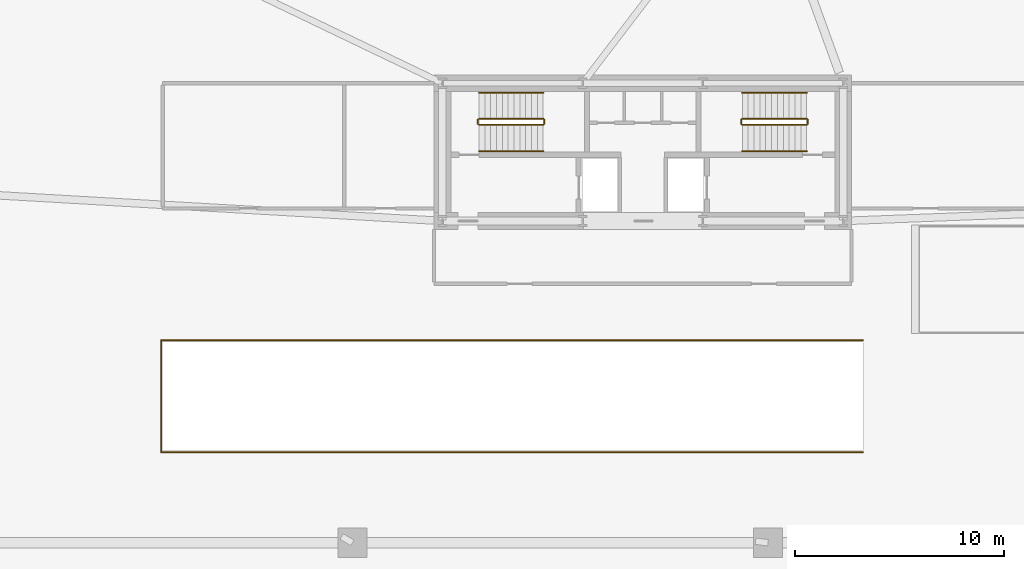
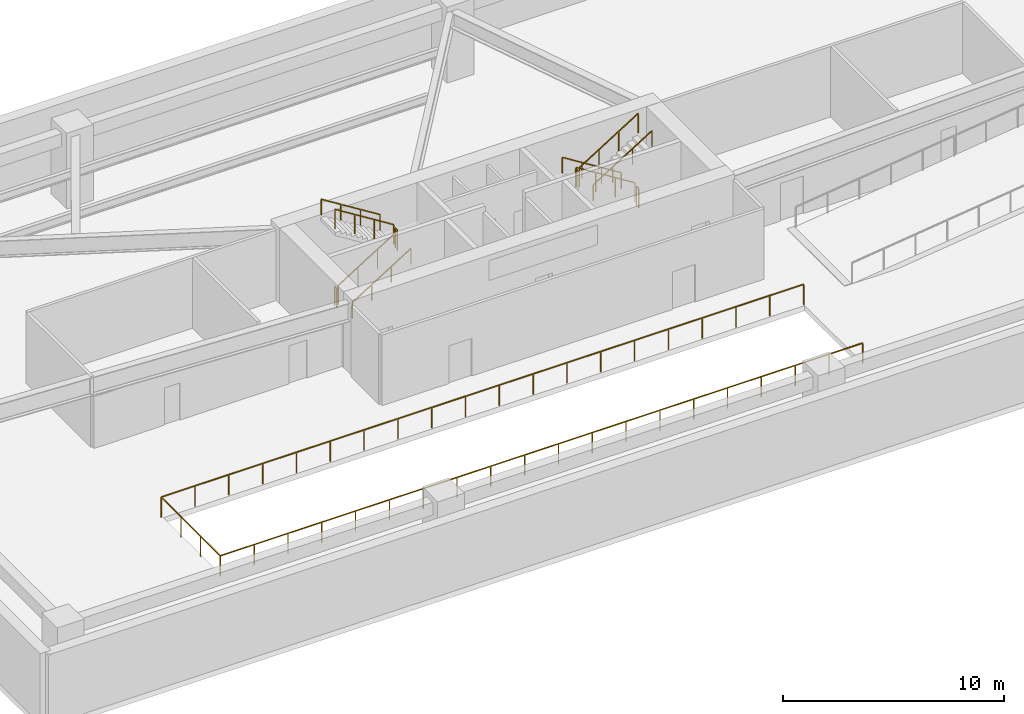
# One storey, part 6 of 7: 15 railings.
"""IFC4 building model written with IfcOpenShell, lengths in metres."""

from ifc_helpers import new_model, si_unit, direction, frame, origin, origin_2d, place, context, subcontext, project, spatial, rectangle, extrude, source, transform, mapped, material, type_object, type_shapes, element, save


model = new_model("IFC4")

# Units and contexts
model_context = context("Model", 3, precision=1e-05, world=origin(), true_north=direction((0.0, 1.0)))
body_context = subcontext(model_context, "Body", "Model", "MODEL_VIEW")
ifc_project = project(units=[si_unit("LENGTHUNIT", "METRE"), si_unit("AREAUNIT", "SQUARE_METRE"), si_unit("VOLUMEUNIT", "CUBIC_METRE"), si_unit("PLANEANGLEUNIT", "RADIAN"), si_unit("MASSUNIT", "GRAM", prefix="KILO")], contexts=[model_context])

# Site, building, storey
site_placement = place(None, origin())
site = spatial("IfcSite", under=ifc_project, at=site_placement, CompositionType="ELEMENT")
building_placement = place(site_placement, origin())
building = spatial("IfcBuilding", under=site, at=building_placement, Name="Astriad Promenade Condominiums", CompositionType="ELEMENT")
storey_placement = place(building_placement, frame((0.0, 0.0, -4.199951171875)))
storey = spatial("IfcBuildingStorey", under=building, at=storey_placement, Name="B01", CompositionType="ELEMENT", Elevation=-4.199951171875)

# Railings
ifc_material_1 = material(Name="Anodised Aluminium and Glass Terrace Guardrail", Category="aluminium")
railing_type_1 = type_object("IfcRailingType", Name="GRD-TERR-1150", PredefinedType="GUARDRAIL", material=ifc_material_1)
shared_shape_1 = source(origin(), body_context, "Body", "SweptSolid", [
    extrude(rectangle(XDim=0.048095703125, YDim=0.048095703125, at=origin_2d()), frame((0.0, 0.0, 1.1259765625), z_axis=(0.0, 1.0, 0.0), x_axis=(-1.0, 0.0, 0.0)), (0.0, 0.0, 1.0), 5.35986328125),
    extrude(rectangle(XDim=0.0419921875, YDim=0.0419921875, at=origin_2d()), origin(), (0.0, 0.0, 1.0), 1.101806640625),
    extrude(rectangle(XDim=0.0419921875, YDim=0.0419921875, at=origin_2d()), frame((0.0, 1.78662109375, 0.0)), (0.0, 0.0, 1.0), 1.101806640625),
    extrude(rectangle(XDim=0.0419921875, YDim=0.0419921875, at=origin_2d()), frame((0.0, 3.5732421875, 0.0)), (0.0, 0.0, 1.0), 1.101806640625),
    extrude(rectangle(XDim=0.0419921875, YDim=0.0419921875, at=origin_2d()), frame((0.0, 5.35986328125, 0.0)), (0.0, 0.0, 1.0), 1.101806640625),
])
railing_1_placement = place(storey_placement, frame((12.919921875, 6.320068359375, 0.0)))
element("IfcRailing", 1, at=railing_1_placement, inside=storey, type_object=railing_type_1, Name="GRD-RAMP-B01-W", PredefinedType="GUARDRAIL", context=body_context, shape_type="MappedRepresentation", body=[
    mapped(shared_shape_1, transform((0.0, 0.0, 0.0), scale=1.0)),
])
shared_shape_2 = source(origin(), body_context, "Body", "SweptSolid", [
    extrude(rectangle(XDim=0.048095703125, YDim=0.048095703125, at=origin_2d()), frame((0.0, 0.0, 1.1259765625), z_axis=(1.0, 0.0, 0.0), x_axis=(0.0, 1.0, 0.0)), (0.0, 0.0, 1.0), 33.630126953125),
    extrude(rectangle(XDim=0.0419921875, YDim=0.0419921875, at=origin_2d()), origin(), (0.0, 0.0, 1.0), 1.101806640625),
    extrude(rectangle(XDim=0.0419921875, YDim=0.0419921875, at=origin_2d()), frame((1.77001953125, 0.0, 0.0)), (0.0, 0.0, 1.0), 1.101806640625),
    extrude(rectangle(XDim=0.0419921875, YDim=0.0419921875, at=origin_2d()), frame((3.5400390625, 0.0, 0.0)), (0.0, 0.0, 1.0), 1.101806640625),
    extrude(rectangle(XDim=0.0419921875, YDim=0.0419921875, at=origin_2d()), frame((5.31005859375, 0.0, 0.0)), (0.0, 0.0, 1.0), 1.101806640625),
    extrude(rectangle(XDim=0.0419921875, YDim=0.0419921875, at=origin_2d()), frame((7.080078125, 0.0, 0.0)), (0.0, 0.0, 1.0), 1.101806640625),
    extrude(rectangle(XDim=0.0419921875, YDim=0.0419921875, at=origin_2d()), frame((8.85009765625, 0.0, 0.0)), (0.0, 0.0, 1.0), 1.101806640625),
    extrude(rectangle(XDim=0.0419921875, YDim=0.0419921875, at=origin_2d()), frame((10.6201171875, 0.0, 0.0)), (0.0, 0.0, 1.0), 1.101806640625),
    extrude(rectangle(XDim=0.0419921875, YDim=0.0419921875, at=origin_2d()), frame((12.39013671875, 0.0, 0.0)), (0.0, 0.0, 1.0), 1.101806640625),
    extrude(rectangle(XDim=0.0419921875, YDim=0.0419921875, at=origin_2d()), frame((14.16015625, 0.0, 0.0)), (0.0, 0.0, 1.0), 1.101806640625),
    extrude(rectangle(XDim=0.0419921875, YDim=0.0419921875, at=origin_2d()), frame((15.93017578125, 0.0, 0.0)), (0.0, 0.0, 1.0), 1.101806640625),
    extrude(rectangle(XDim=0.0419921875, YDim=0.0419921875, at=origin_2d()), frame((17.699951171875, 0.0, 0.0)), (0.0, 0.0, 1.0), 1.101806640625),
    extrude(rectangle(XDim=0.0419921875, YDim=0.0419921875, at=origin_2d()), frame((19.469970703125, 0.0, 0.0)), (0.0, 0.0, 1.0), 1.101806640625),
    extrude(rectangle(XDim=0.0419921875, YDim=0.0419921875, at=origin_2d()), frame((21.239990234375, 0.0, 0.0)), (0.0, 0.0, 1.0), 1.101806640625),
    extrude(rectangle(XDim=0.0419921875, YDim=0.0419921875, at=origin_2d()), frame((23.010009765625, 0.0, 0.0)), (0.0, 0.0, 1.0), 1.101806640625),
    extrude(rectangle(XDim=0.0419921875, YDim=0.0419921875, at=origin_2d()), frame((24.780029296875, 0.0, 0.0)), (0.0, 0.0, 1.0), 1.101806640625),
    extrude(rectangle(XDim=0.0419921875, YDim=0.0419921875, at=origin_2d()), frame((26.550048828125, 0.0, 0.0)), (0.0, 0.0, 1.0), 1.101806640625),
    extrude(rectangle(XDim=0.0419921875, YDim=0.0419921875, at=origin_2d()), frame((28.320068359375, 0.0, 0.0)), (0.0, 0.0, 1.0), 1.101806640625),
    extrude(rectangle(XDim=0.0419921875, YDim=0.0419921875, at=origin_2d()), frame((30.090087890625, 0.0, 0.0)), (0.0, 0.0, 1.0), 1.101806640625),
    extrude(rectangle(XDim=0.0419921875, YDim=0.0419921875, at=origin_2d()), frame((31.860107421875, 0.0, 0.0)), (0.0, 0.0, 1.0), 1.101806640625),
    extrude(rectangle(XDim=0.0419921875, YDim=0.0419921875, at=origin_2d()), frame((33.630126953125, 0.0, 0.0)), (0.0, 0.0, 1.0), 1.101806640625),
])
type_shapes(railing_type_1, [shared_shape_1, shared_shape_2])
for number, where, name in (
    (2, (12.919921875, 6.320068359375, 0.0), "GRD-RAMP-B01-S"),
    (3, (12.919921875, 11.679931640625, 0.0), "GRD-RAMP-B01-N"),
):
    element("IfcRailing", number, at=place(storey_placement, frame(where)), inside=storey, type_object=railing_type_1, Name=name, PredefinedType="GUARDRAIL", context=body_context, shape_type="MappedRepresentation", body=[
        mapped(shared_shape_2, transform((0.0, 0.0, 0.0), scale=1.0)),
    ])
ifc_material_2 = material(Name="Painted Galvanised Steel Guardrail", Category="steel")
railing_type_2 = type_object("IfcRailingType", Name="GRD-STAIR-1100", PredefinedType="GUARDRAIL", material=ifc_material_2)
shared_shape_3 = source(origin(), body_context, "Body", "SweptSolid", [
    extrude(rectangle(XDim=0.048095703125, YDim=0.048095703125, at=origin_2d()), frame((0.0, 0.0, 1.076171875), z_axis=(0.847998304005, 0.0, 0.529998940003), x_axis=(0.0, 1.0, 0.0)), (0.0, 0.0, 1.0), 3.632080078125),
    extrude(rectangle(XDim=0.0419921875, YDim=0.0419921875, at=origin_2d()), origin(), (0.0, 0.0, 1.0), 1.052001953125),
    extrude(rectangle(XDim=0.0419921875, YDim=0.0419921875, at=origin_2d()), frame((1.026611328125, 0.0, 0.6416015625)), (0.0, 0.0, 1.0), 1.052001953125),
    extrude(rectangle(XDim=0.0419921875, YDim=0.0419921875, at=origin_2d()), frame((2.053466796875, 0.0, 1.283447265625)), (0.0, 0.0, 1.0), 1.052001953125),
    extrude(rectangle(XDim=0.0419921875, YDim=0.0419921875, at=origin_2d()), frame((3.080078125, 0.0, 1.925048828125)), (0.0, 0.0, 1.0), 1.052001953125),
])
railing_2_placement = place(storey_placement, frame((40.77001953125, 22.0, 2.27490234375)))
element("IfcRailing", 4, at=railing_2_placement, inside=storey, type_object=railing_type_2, Name="B01 ST-2 stair guard 3", PredefinedType="GUARDRAIL", context=body_context, shape_type="MappedRepresentation", body=[
    mapped(shared_shape_3, transform((0.0, 0.0, 0.0), scale=1.0)),
])
shared_shape_4 = source(origin(), body_context, "Body", "SweptSolid", [
    extrude(rectangle(XDim=0.048095703125, YDim=0.048095703125, at=origin_2d()), frame((0.0, 0.0, 1.076171875), z_axis=(0.0, 1.0, 0.0), x_axis=(-1.0, 0.0, 0.0)), (0.0, 0.0, 1.0), 0.199951171875),
    extrude(rectangle(XDim=0.0419921875, YDim=0.0419921875, at=origin_2d()), origin(), (0.0, 0.0, 1.0), 1.052001953125),
    extrude(rectangle(XDim=0.0419921875, YDim=0.0419921875, at=origin_2d()), frame((0.0, 0.199951171875, 0.0)), (0.0, 0.0, 1.0), 1.052001953125),
])
for number, where, name in (
    (5, (31.280029296875, 22.050048828125, 2.099853515625), "B01 ST-1 stair guard 2"),
    (6, (28.10009765625, 22.050048828125, 0.0), "B01 ST-1 stair guard 4"),
):
    element("IfcRailing", number, at=place(storey_placement, frame(where)), inside=storey, type_object=railing_type_2, Name=name, PredefinedType="GUARDRAIL", context=body_context, shape_type="MappedRepresentation", body=[
        mapped(shared_shape_4, transform((0.0, 0.0, 0.0), scale=1.0)),
    ])
shared_shape_5 = source(origin(), body_context, "Body", "SweptSolid", [
    extrude(rectangle(XDim=0.048095703125, YDim=0.048095703125, at=origin_2d()), frame((0.0, 0.0, 1.076171875), z_axis=(-0.847998304005, 0.0, 0.529998940003), x_axis=(0.0, -1.0, 0.0)), (0.0, 0.0, 1.0), 3.632080078125),
    extrude(rectangle(XDim=0.0419921875, YDim=0.0419921875, at=origin_2d()), origin(), (0.0, 0.0, 1.0), 1.052001953125),
    extrude(rectangle(XDim=0.0419921875, YDim=0.0419921875, at=origin_2d()), frame((-1.026611328125, 0.0, 0.6416015625)), (0.0, 0.0, 1.0), 1.052001953125),
    extrude(rectangle(XDim=0.0419921875, YDim=0.0419921875, at=origin_2d()), frame((-2.053466796875, 0.0, 1.283447265625)), (0.0, 0.0, 1.0), 1.052001953125),
    extrude(rectangle(XDim=0.0419921875, YDim=0.0419921875, at=origin_2d()), frame((-3.080078125, 0.0, 1.925048828125)), (0.0, 0.0, 1.0), 1.052001953125),
])
railing_3_placement = place(storey_placement, frame((31.22998046875, 22.300048828125, 2.27490234375)))
element("IfcRailing", 7, at=railing_3_placement, inside=storey, type_object=railing_type_2, Name="B01 ST-1 stair guard 3", PredefinedType="GUARDRAIL", context=body_context, shape_type="MappedRepresentation", body=[
    mapped(shared_shape_5, transform((0.0, 0.0, 0.0), scale=1.0)),
])
ifc_material_3 = material(Name="Brushed Stainless Steel Handrail", Category="steel")
railing_type_3 = type_object("IfcRailingType", Name="HRL-STAIR-920", PredefinedType="HANDRAIL", material=ifc_material_3)
shared_shape_6 = source(origin(), body_context, "Body", "SweptSolid", [
    extrude(rectangle(XDim=0.048095703125, YDim=0.048095703125, at=origin_2d()), frame((0.0, 0.0, 0.8759765625), z_axis=(0.847998304005, 0.0, 0.529998940003), x_axis=(0.0, 1.0, 0.0)), (0.0, 0.0, 1.0), 3.632080078125),
    extrude(rectangle(XDim=0.0419921875, YDim=0.0419921875, at=origin_2d()), origin(), (0.0, 0.0, 1.0), 0.851806640625),
    extrude(rectangle(XDim=0.0419921875, YDim=0.0419921875, at=origin_2d()), frame((1.026611328125, 0.0, 0.6416015625)), (0.0, 0.0, 1.0), 0.851806640625),
    extrude(rectangle(XDim=0.0419921875, YDim=0.0419921875, at=origin_2d()), frame((2.053466796875, 0.0, 1.283447265625)), (0.0, 0.0, 1.0), 0.851806640625),
    extrude(rectangle(XDim=0.0419921875, YDim=0.0419921875, at=origin_2d()), frame((3.080078125, 0.0, 1.925048828125)), (0.0, 0.0, 1.0), 0.851806640625),
])
railing_4_placement = place(storey_placement, frame((40.77001953125, 20.75, 2.27490234375)))
element("IfcRailing", 8, at=railing_4_placement, inside=storey, type_object=railing_type_3, Name="B01 ST-2 stair handrail 2", PredefinedType="HANDRAIL", context=body_context, shape_type="MappedRepresentation", body=[
    mapped(shared_shape_6, transform((0.0, 0.0, 0.0), scale=1.0)),
])
shared_shape_7 = source(origin(), body_context, "Body", "SweptSolid", [
    extrude(rectangle(XDim=0.048095703125, YDim=0.048095703125, at=origin_2d()), frame((0.0, 0.0, 0.8759765625), z_axis=(-0.847998304005, 0.0, 0.529998940003), x_axis=(0.0, -1.0, 0.0)), (0.0, 0.0, 1.0), 3.632080078125),
    extrude(rectangle(XDim=0.0419921875, YDim=0.0419921875, at=origin_2d()), origin(), (0.0, 0.0, 1.0), 0.851806640625),
    extrude(rectangle(XDim=0.0419921875, YDim=0.0419921875, at=origin_2d()), frame((-1.026611328125, 0.0, 0.6416015625)), (0.0, 0.0, 1.0), 0.851806640625),
    extrude(rectangle(XDim=0.0419921875, YDim=0.0419921875, at=origin_2d()), frame((-2.053466796875, 0.0, 1.283447265625)), (0.0, 0.0, 1.0), 0.851806640625),
    extrude(rectangle(XDim=0.0419921875, YDim=0.0419921875, at=origin_2d()), frame((-3.080078125, 0.0, 1.925048828125)), (0.0, 0.0, 1.0), 0.851806640625),
])
railing_5_placement = place(storey_placement, frame((31.22998046875, 23.550048828125, 2.27490234375)))
element("IfcRailing", 9, at=railing_5_placement, inside=storey, type_object=railing_type_3, Name="B01 ST-1 stair handrail 2", PredefinedType="HANDRAIL", context=body_context, shape_type="MappedRepresentation", body=[
    mapped(shared_shape_7, transform((0.0, 0.0, 0.0), scale=1.0)),
])
shared_shape_8 = source(origin(), body_context, "Body", "SweptSolid", [
    extrude(rectangle(XDim=0.048095703125, YDim=0.048095703125, at=origin_2d()), frame((0.0, 0.0, 1.076171875), z_axis=(0.848028513186, 0.0, 0.529950602248), x_axis=(0.0, 1.0, 0.0)), (0.0, 0.0, 1.0), 3.632080078125),
    extrude(rectangle(XDim=0.0419921875, YDim=0.0419921875, at=origin_2d()), origin(), (0.0, 0.0, 1.0), 1.052001953125),
    extrude(rectangle(XDim=0.0419921875, YDim=0.0419921875, at=origin_2d()), frame((1.026611328125, 0.0, 0.6416015625)), (0.0, 0.0, 1.0), 1.052001953125),
    extrude(rectangle(XDim=0.0419921875, YDim=0.0419921875, at=origin_2d()), frame((2.053466796875, 0.0, 1.283203125)), (0.0, 0.0, 1.0), 1.052001953125),
    extrude(rectangle(XDim=0.0419921875, YDim=0.0419921875, at=origin_2d()), frame((3.080078125, 0.0, 1.9248046875)), (0.0, 0.0, 1.0), 1.052001953125),
])
railing_6_placement = place(storey_placement, frame((28.14990234375, 22.0, 0.175048828125)))
element("IfcRailing", 10, at=railing_6_placement, inside=storey, type_object=railing_type_2, Name="B01 ST-1 stair guard 1", PredefinedType="GUARDRAIL", context=body_context, shape_type="MappedRepresentation", body=[
    mapped(shared_shape_8, transform((0.0, 0.0, 0.0), scale=1.0)),
])
shared_shape_9 = source(origin(), body_context, "Body", "SweptSolid", [
    extrude(rectangle(XDim=0.048095703125, YDim=0.048095703125, at=origin_2d()), frame((0.0, 0.0, 0.8759765625), z_axis=(0.848028513186, 0.0, 0.529950602248), x_axis=(0.0, 1.0, 0.0)), (0.0, 0.0, 1.0), 3.632080078125),
    extrude(rectangle(XDim=0.0419921875, YDim=0.0419921875, at=origin_2d()), origin(), (0.0, 0.0, 1.0), 0.851806640625),
    extrude(rectangle(XDim=0.0419921875, YDim=0.0419921875, at=origin_2d()), frame((1.026611328125, 0.0, 0.6416015625)), (0.0, 0.0, 1.0), 0.851806640625),
    extrude(rectangle(XDim=0.0419921875, YDim=0.0419921875, at=origin_2d()), frame((2.053466796875, 0.0, 1.283203125)), (0.0, 0.0, 1.0), 0.851806640625),
    extrude(rectangle(XDim=0.0419921875, YDim=0.0419921875, at=origin_2d()), frame((3.080078125, 0.0, 1.9248046875)), (0.0, 0.0, 1.0), 0.851806640625),
])
railing_7_placement = place(storey_placement, frame((28.14990234375, 20.75, 0.175048828125)))
element("IfcRailing", 11, at=railing_7_placement, inside=storey, type_object=railing_type_3, Name="B01 ST-1 stair handrail 1", PredefinedType="HANDRAIL", context=body_context, shape_type="MappedRepresentation", body=[
    mapped(shared_shape_9, transform((0.0, 0.0, 0.0), scale=1.0)),
])
shared_shape_10 = source(origin(), body_context, "Body", "SweptSolid", [
    extrude(rectangle(XDim=0.048095703125, YDim=0.048095703125, at=origin_2d()), frame((0.0, 0.0, 1.076171875), z_axis=(0.0, -1.0, 0.0), x_axis=(1.0, 0.0, 0.0)), (0.0, 0.0, 1.0), 0.199951171875),
    extrude(rectangle(XDim=0.0419921875, YDim=0.0419921875, at=origin_2d()), origin(), (0.0, 0.0, 1.0), 1.052001953125),
    extrude(rectangle(XDim=0.0419921875, YDim=0.0419921875, at=origin_2d()), frame((0.0, -0.199951171875, 0.0)), (0.0, 0.0, 1.0), 1.052001953125),
])
for number, where, name in (
    (12, (40.719970703125, 22.25, 2.099853515625), "B01 ST-2 stair guard 2"),
    (13, (43.89990234375, 22.25, 0.0), "B01 ST-2 stair guard 4"),
):
    element("IfcRailing", number, at=place(storey_placement, frame(where)), inside=storey, type_object=railing_type_2, Name=name, PredefinedType="GUARDRAIL", context=body_context, shape_type="MappedRepresentation", body=[
        mapped(shared_shape_10, transform((0.0, 0.0, 0.0), scale=1.0)),
    ])
shared_shape_11 = source(origin(), body_context, "Body", "SweptSolid", [
    extrude(rectangle(XDim=0.048095703125, YDim=0.048095703125, at=origin_2d()), frame((0.0, 0.0, 1.076171875), z_axis=(-0.848028513186, 0.0, 0.529950602248), x_axis=(0.0, -1.0, 0.0)), (0.0, 0.0, 1.0), 3.632080078125),
    extrude(rectangle(XDim=0.0419921875, YDim=0.0419921875, at=origin_2d()), origin(), (0.0, 0.0, 1.0), 1.052001953125),
    extrude(rectangle(XDim=0.0419921875, YDim=0.0419921875, at=origin_2d()), frame((-1.026611328125, 0.0, 0.6416015625)), (0.0, 0.0, 1.0), 1.052001953125),
    extrude(rectangle(XDim=0.0419921875, YDim=0.0419921875, at=origin_2d()), frame((-2.053466796875, 0.0, 1.283203125)), (0.0, 0.0, 1.0), 1.052001953125),
    extrude(rectangle(XDim=0.0419921875, YDim=0.0419921875, at=origin_2d()), frame((-3.080078125, 0.0, 1.9248046875)), (0.0, 0.0, 1.0), 1.052001953125),
])
type_shapes(railing_type_2, [shared_shape_3, shared_shape_4, shared_shape_5, shared_shape_8, shared_shape_10, shared_shape_11])
railing_8_placement = place(storey_placement, frame((43.85009765625, 22.300048828125, 0.175048828125)))
element("IfcRailing", 14, at=railing_8_placement, inside=storey, type_object=railing_type_2, Name="B01 ST-2 stair guard 1", PredefinedType="GUARDRAIL", context=body_context, shape_type="MappedRepresentation", body=[
    mapped(shared_shape_11, transform((0.0, 0.0, 0.0), scale=1.0)),
])
shared_shape_12 = source(origin(), body_context, "Body", "SweptSolid", [
    extrude(rectangle(XDim=0.048095703125, YDim=0.048095703125, at=origin_2d()), frame((0.0, 0.0, 0.8759765625), z_axis=(-0.848028513186, 0.0, 0.529950602248), x_axis=(0.0, -1.0, 0.0)), (0.0, 0.0, 1.0), 3.632080078125),
    extrude(rectangle(XDim=0.0419921875, YDim=0.0419921875, at=origin_2d()), origin(), (0.0, 0.0, 1.0), 0.851806640625),
    extrude(rectangle(XDim=0.0419921875, YDim=0.0419921875, at=origin_2d()), frame((-1.026611328125, 0.0, 0.6416015625)), (0.0, 0.0, 1.0), 0.851806640625),
    extrude(rectangle(XDim=0.0419921875, YDim=0.0419921875, at=origin_2d()), frame((-2.053466796875, 0.0, 1.283203125)), (0.0, 0.0, 1.0), 0.851806640625),
    extrude(rectangle(XDim=0.0419921875, YDim=0.0419921875, at=origin_2d()), frame((-3.080078125, 0.0, 1.9248046875)), (0.0, 0.0, 1.0), 0.851806640625),
])
type_shapes(railing_type_3, [shared_shape_6, shared_shape_7, shared_shape_9, shared_shape_12])
railing_9_placement = place(storey_placement, frame((43.85009765625, 23.550048828125, 0.175048828125)))
element("IfcRailing", 15, at=railing_9_placement, inside=storey, type_object=railing_type_3, Name="B01 ST-2 stair handrail 1", PredefinedType="HANDRAIL", context=body_context, shape_type="MappedRepresentation", body=[
    mapped(shared_shape_12, transform((0.0, 0.0, 0.0), scale=1.0)),
])

save(model, "model.ifc")
